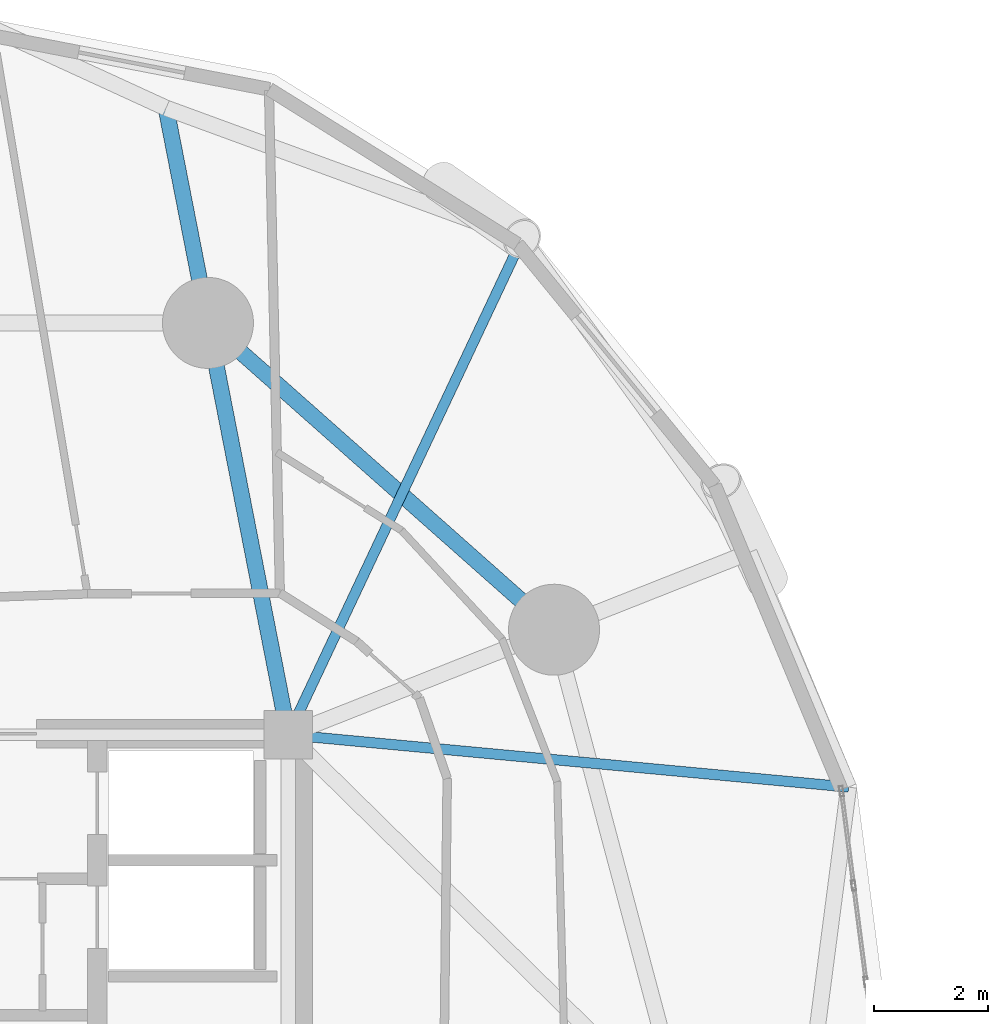
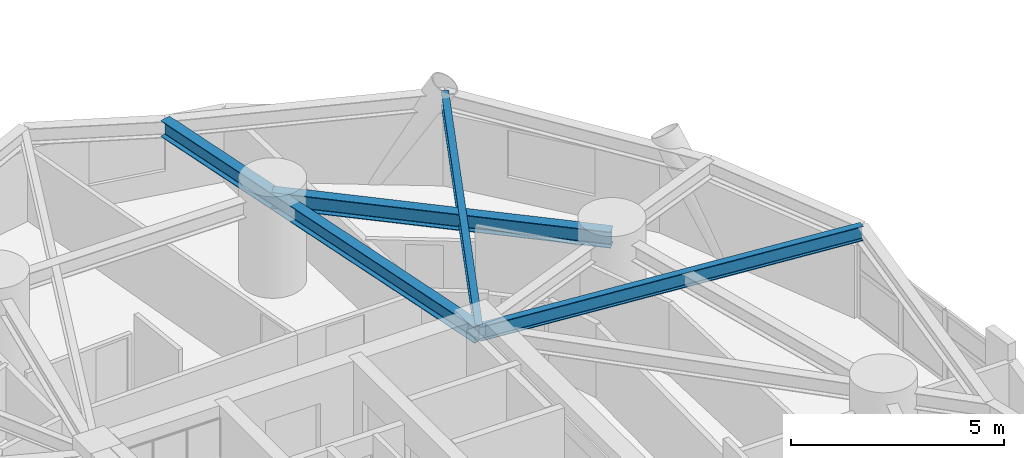
# One storey, part 3 of 16: 4 beams.
"""IFC4 building model written with IfcOpenShell, lengths in metres."""

from ifc_helpers import new_model, si_unit, direction, frame, origin, origin_2d, place, context, subcontext, project, spatial, i_section, extrude, material, material_profile, profile_set, type_object, element, save


model = new_model("IFC4")

# Units and contexts
model_context = context("Model", 3, precision=1e-05, world=origin(), true_north=direction((0.0, 1.0)))
body_context = subcontext(model_context, "Body", "Model", "MODEL_VIEW")
ifc_project = project(units=[si_unit("LENGTHUNIT", "METRE"), si_unit("AREAUNIT", "SQUARE_METRE"), si_unit("VOLUMEUNIT", "CUBIC_METRE"), si_unit("PLANEANGLEUNIT", "RADIAN"), si_unit("MASSUNIT", "GRAM", prefix="KILO")], contexts=[model_context])

# Site, building, storey
site_placement = place(None, origin())
site = spatial("IfcSite", under=ifc_project, at=site_placement, CompositionType="ELEMENT")
building_placement = place(site_placement, origin())
building = spatial("IfcBuilding", under=site, at=building_placement, Name="Cununo Teusaquillo Station Towers", CompositionType="ELEMENT")
storey_placement = place(building_placement, frame((0.0, 0.0, 62.739990234375)))
storey = spatial("IfcBuildingStorey", under=building, at=storey_placement, Name="L19", CompositionType="ELEMENT", Elevation=62.739990234375)

# Beams
ifc_material_1 = material(Name="Steel ASTM A572 Grade 50", Category="steel")
ifc_material_profile_1 = material_profile(ifc_material_1, i_section(OverallWidth=0.180908203125, OverallDepth=0.4169921875, WebThickness=0.010986328125, FlangeThickness=0.018310546875, FilletRadius=0.012939453125, at=origin_2d()), Name="W16X57")
ifc_profile_set_1 = profile_set([ifc_material_profile_1], Name="Steel ASTM A572 Grade 50")
beam_type_1 = type_object("IfcBeamType", Name="BM-JOIST-1", PredefinedType="JOIST", material=ifc_profile_set_1)
beam_1_placement = place(storey_placement, frame((21.675048828125, 31.3798828125, 2.361572265625), z_axis=(0.995678537907, -0.09286683558, 0.0), x_axis=(0.09286683558, 0.995678537907, 0.0)))
element("IfcBeam", 1, at=beam_1_placement, inside=storey, type_object=beam_type_1, Name="L19 Tower A Radial Spandrel Joist V01", PredefinedType="JOIST", context=body_context, shape_type="SweptSolid", body=[
    extrude(i_section(OverallWidth=0.180908203125, OverallDepth=0.4169921875, WebThickness=0.010986328125, FlangeThickness=0.018310546875, FilletRadius=0.012939453125, at=origin_2d()), origin(), (0.0, 0.0, 1.0), 9.895263671875),
])
beam_2_placement = place(storey_placement, frame((21.675048828125, 31.3798828125, 2.361572265625), z_axis=(0.426319838016, 0.904572493344, 0.0), x_axis=(-0.904572493344, 0.426319838016, 0.0)))
element("IfcBeam", 2, at=beam_2_placement, inside=storey, type_object=beam_type_1, Name="L19 Tower A Radial Spandrel Joist V03", PredefinedType="JOIST", context=body_context, shape_type="SweptSolid", body=[
    extrude(i_section(OverallWidth=0.180908203125, OverallDepth=0.4169921875, WebThickness=0.010986328125, FlangeThickness=0.018310546875, FilletRadius=0.012939453125, at=origin_2d()), origin(), (0.0, 0.0, 1.0), 9.646728515625),
])
ifc_material_2 = material(Name="Steel ASTM A572 Grade 50", Category="steel")
ifc_material_profile_2 = material_profile(ifc_material_2, i_section(OverallWidth=0.280029296875, OverallDepth=0.462890625, WebThickness=0.0107421875, FlangeThickness=0.017333984375, FilletRadius=0.013916015625, at=origin_2d()), Name="W18X76")
ifc_profile_set_2 = profile_set([ifc_material_profile_2], Name="Steel ASTM A572 Grade 50")
beam_type_2 = type_object("IfcBeamType", Name="BM-RAD-G1", PredefinedType="BEAM", material=ifc_profile_set_2)
beam_3_placement = place(storey_placement, frame((21.675048828125, 31.3798828125, 2.338623046875), z_axis=(-0.191552755713, 0.981482318628, 0.0), x_axis=(-0.981482318628, -0.191552755713, 0.0)))
element("IfcBeam", 3, at=beam_3_placement, inside=storey, type_object=beam_type_2, Name="L19 Tower A Continuous Overhanging Radial Girder 03", PredefinedType="BEAM", context=body_context, shape_type="SweptSolid", body=[
    extrude(i_section(OverallWidth=0.280029296875, OverallDepth=0.462890625, WebThickness=0.0107421875, FlangeThickness=0.017333984375, FilletRadius=0.013916015625, at=origin_2d()), origin(), (0.0, 0.0, 1.0), 11.22998046875),
])
ifc_material_3 = material(Name="Steel ASTM A572 Grade 50", Category="steel")
ifc_material_profile_3 = material_profile(ifc_material_3, i_section(OverallWidth=0.280029296875, OverallDepth=0.462890625, WebThickness=0.0107421875, FlangeThickness=0.017333984375, FilletRadius=0.013916015625, at=origin_2d()), Name="W18X76")
ifc_profile_set_3 = profile_set([ifc_material_profile_3], Name="Steel ASTM A572 Grade 50")
beam_type_3 = type_object("IfcBeamType", Name="BM-RING-Z2", PredefinedType="SPANDREL", material=ifc_profile_set_3)
beam_4_placement = place(storey_placement, frame((26.347412109375, 33.228515625, 2.338623046875), z_axis=(-0.74832120039, 0.66333655187, 0.0), x_axis=(-0.66333655187, -0.74832120039, 0.0)))
element("IfcBeam", 4, at=beam_4_placement, inside=storey, type_object=beam_type_3, Name="L19 Tower A Structural Column Ring Girder 02", PredefinedType="SPANDREL", context=body_context, shape_type="SweptSolid", body=[
    extrude(i_section(OverallWidth=0.280029296875, OverallDepth=0.462890625, WebThickness=0.0107421875, FlangeThickness=0.017333984375, FilletRadius=0.013916015625, at=origin_2d()), origin(), (0.0, 0.0, 1.0), 8.1328125),
])

save(model, "model.ifc")
